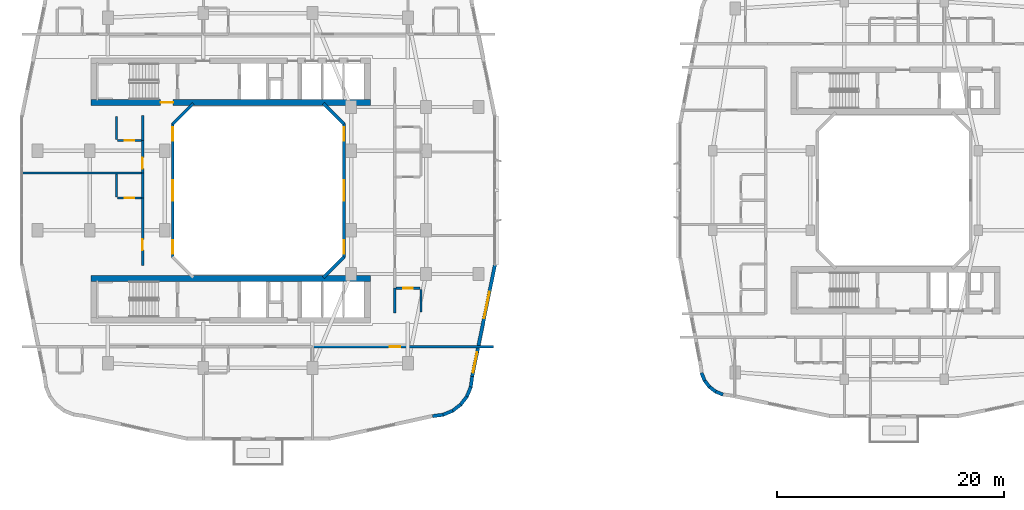
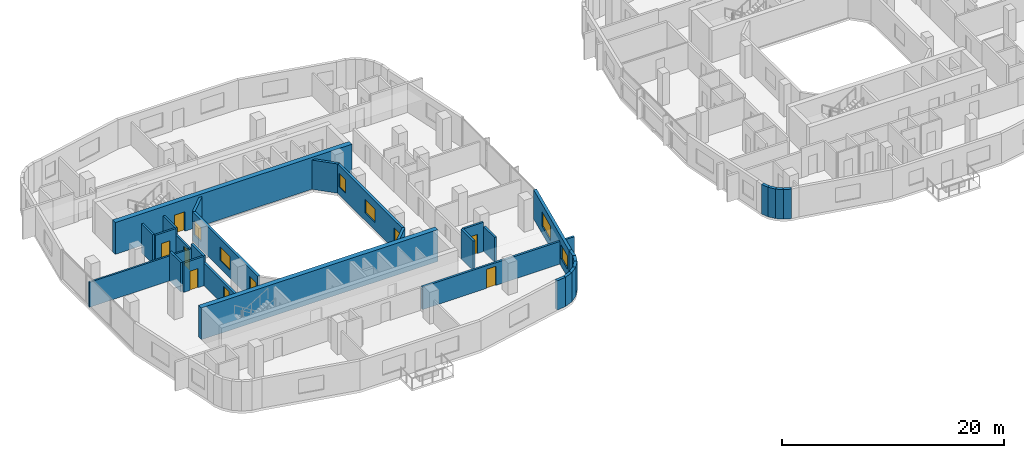
# One storey, part 9 of 22: 31 walls, 8 windows, 7 doors, 15 openings.
"""IFC4 building model written with IfcOpenShell, lengths in metres."""

from ifc_helpers import new_model, si_unit, derived_unit, direction, frame, frame_2d, origin, place, context, subcontext, project, spatial, rectangle, extrude, material, layer, layer_set, type_object, element, fill, save


model = new_model("IFC4")

# Units and contexts
model_context = context("Model", 3, precision=1e-05, world=origin(), true_north=direction((0.0, 1.0)))
body_context = subcontext(model_context, "Body", "Model", "MODEL_VIEW")
ifc_project = project(units=[si_unit("LENGTHUNIT", "METRE"), si_unit("AREAUNIT", "SQUARE_METRE"), si_unit("VOLUMEUNIT", "CUBIC_METRE"), si_unit("PLANEANGLEUNIT", "RADIAN"), si_unit("MASSUNIT", "GRAM", prefix="KILO"), derived_unit("THERMALTRANSMITTANCEUNIT", [(si_unit("POWERUNIT", "WATT"), 1), (si_unit("LENGTHUNIT", "METRE"), -2), (si_unit("THERMODYNAMICTEMPERATUREUNIT", "KELVIN"), -1)])], contexts=[model_context])

# Site, building, storey
site_placement = place(None, origin())
site = spatial("IfcSite", under=ifc_project, at=site_placement, CompositionType="ELEMENT")
building_placement = place(site_placement, origin())
building = spatial("IfcBuilding", under=site, at=building_placement, Name="Kivonza Crest Hotel", CompositionType="ELEMENT")
storey_placement = place(building_placement, frame((0.0, 0.0, 69.5)))
storey = spatial("IfcBuildingStorey", under=building, at=storey_placement, Name="L18", CompositionType="ELEMENT", Elevation=69.5)

# Wall
ifc_material_1 = material(Name="High-density acoustic masonry inter-tenancy wall", Category="masonry")
ifc_layer_1 = layer(ifc_material_1, 0.179931640625)
ifc_layer_set_1 = layer_set([ifc_layer_1], Name="High-density acoustic masonry inter-tenancy wall")
wall_type_1 = type_object("IfcWallType", Name="WL-ACOU-180", PredefinedType="SOLIDWALL", material=ifc_layer_set_1)
wall_1_placement = place(storey_placement, frame((0.139892578125, 26.5400390625, 0.0), z_axis=(0.0, 0.0, 1.0), x_axis=(1.0, 0.0, 0.0)))
element("IfcWall", 1, at=wall_1_placement, inside=storey, type_object=wall_type_1, Name="L18 interior partition WA-L18-T1W-DIV1", PredefinedType="SOLIDWALL", context=body_context, shape_type="SweptSolid", body=[
    extrude(rectangle(XDim=10.710205078125, YDim=0.179931640625, at=frame_2d((5.35498046875, 0.0))), origin(), (0.0, 0.0, 1.0), 2.7451171875),
])

# Wall, opening, door
ifc_material_2 = material(Name="Autoclaved aerated concrete blockwork", Category="masonry")
ifc_layer_2 = layer(ifc_material_2, 0.219970703125)
ifc_layer_set_2 = layer_set([ifc_layer_2], Name="Autoclaved aerated concrete blockwork")
wall_type_2 = type_object("IfcWallType", Name="WL-ACOU-220", PredefinedType="SOLIDWALL", material=ifc_layer_set_2)
wall_2_placement = place(storey_placement, frame((25.89990234375, 11.25, 0.0), z_axis=(0.0, 0.0, 1.0), x_axis=(1.0, 0.0, 0.0)))
wall_2 = element("IfcWall", 2, at=wall_2_placement, inside=storey, type_object=wall_type_2, Name="L18 interior partition WA-L18-BUS-MTG-N", PredefinedType="SOLIDWALL", context=body_context, shape_type="SweptSolid", body=[
    extrude(rectangle(XDim=15.840087890625, YDim=0.219970703125, at=frame_2d((7.919921875, 0.0))), origin(), (0.0, 0.0, 1.0), 2.4951171875),
])
opening_1_placement = place(wall_2_placement, frame((6.69091796875, 0.0, 0.0)))
opening_1 = element("IfcOpeningElement", 3, at=opening_1_placement, cuts=wall_2, Name="Opening DF-60S", PredefinedType="OPENING", context=body_context, shape_type="SweptSolid", body=[
    extrude(rectangle(XDim=0.949951171875, YDim=2.10009765625, at=frame_2d((0.47509765625, 1.050048828125))), frame((0.0, 0.1201171875, 0.0), z_axis=(0.0, -1.0, 0.0), x_axis=(1.0, 0.0, 0.0)), (0.0, 0.0, 1.0), 0.239990234375),
])
ifc_material_3 = material(Name="Hardwood timber oak", Category="wood")
door_type_1 = type_object("IfcDoorType", Name="DR-FD60-950", OperationType="NOTDEFINED", PredefinedType="DOOR", material=ifc_material_3)
door_1_placement = place(opening_1_placement, frame((0.949951171875, 0.0, 0.0), z_axis=(0.0, 0.0, 1.0), x_axis=(-1.0, 0.0, 0.0)))
door_1 = element("IfcDoor", 4, at=door_1_placement, inside=storey, type_object=door_type_1, Name="L18 Private Fitness Gym Studio door", OperationType="SINGLE_SWING_RIGHT", OverallHeight=2.10009765625, OverallWidth=0.949951171875, PredefinedType="DOOR", context=body_context, shape_type="SweptSolid", body=[
    extrude(rectangle(XDim=0.949951171875, YDim=2.10009765625, at=frame_2d((0.47509765625, 1.050048828125))), frame((0.0, 0.02490234375, 0.0), z_axis=(0.0, -1.0, 0.0), x_axis=(1.0, 0.0, 0.0)), (0.0, 0.0, 1.0), 0.050048828125),
])
fill(opening_1, door_1)

# Wall
wall_3_placement = place(storey_placement, frame((10.85009765625, 24.340087890625, 0.0), z_axis=(0.0, 0.0, 1.0), x_axis=(0.0, 1.0, 0.0)))
element("IfcWall", 5, at=wall_3_placement, inside=storey, type_object=wall_type_2, Name="L18 interior partition WA-L18-W06-BCORR", PredefinedType="SOLIDWALL", context=body_context, shape_type="SweptSolid", body=[
    extrude(rectangle(XDim=2.199951171875, YDim=0.219970703125, at=frame_2d((1.10009765625, 0.0))), origin(), (0.0, 0.0, 1.0), 3.219970703125),
])

# Wall, opening, door
wall_4_placement = place(storey_placement, frame((10.85009765625, 18.39990234375, 0.0), z_axis=(0.0, 0.0, 1.0), x_axis=(0.0, 1.0, 0.0)))
wall_4 = element("IfcWall", 6, at=wall_4_placement, inside=storey, type_object=wall_type_2, Name="L18 interior partition WA-L18-W06-MCORR", PredefinedType="SOLIDWALL", context=body_context, shape_type="SweptSolid", body=[
    extrude(rectangle(XDim=5.940185546875, YDim=0.219970703125, at=frame_2d((2.97021484375, 0.0))), origin(), (0.0, 0.0, 1.0), 2.4951171875),
])
opening_2_placement = place(wall_4_placement, frame((1.344970703125, 0.0, 0.0)))
opening_2 = element("IfcOpeningElement", 7, at=opening_2_placement, cuts=wall_4, Name="Opening DU-60", PredefinedType="OPENING", context=body_context, shape_type="SweptSolid", body=[
    extrude(rectangle(XDim=0.949951171875, YDim=2.10009765625, at=frame_2d((0.47509765625, 1.050048828125))), frame((0.0, 0.1201171875, 0.0), z_axis=(0.0, -1.0, 0.0), x_axis=(1.0, 0.0, 0.0)), (0.0, 0.0, 1.0), 0.239990234375),
])
door_type_2 = type_object("IfcDoorType", Name="DR-UNIT-950", OperationType="NOTDEFINED", PredefinedType="DOOR", material=ifc_material_3)
door_2_placement = place(opening_2_placement, origin())
door_2 = element("IfcDoor", 8, at=door_2_placement, inside=storey, type_object=door_type_2, Name="L18 W06 guest unit entrance fire door", OperationType="SINGLE_SWING_RIGHT", OverallHeight=2.10009765625, OverallWidth=0.949951171875, PredefinedType="DOOR", context=body_context, shape_type="SweptSolid", body=[
    extrude(rectangle(XDim=0.949951171875, YDim=2.10009765625, at=frame_2d((0.47509765625, 1.050048828125))), frame((0.0, 0.02490234375, 0.0), z_axis=(0.0, -1.0, 0.0), x_axis=(1.0, 0.0, 0.0)), (0.0, 0.0, 1.0), 0.050048828125),
])
fill(opening_2, door_2)

# Wall
wall_5_placement = place(storey_placement, frame((10.85009765625, 29.39990234375, 0.0), z_axis=(0.0, 0.0, 1.0), x_axis=(0.0, 1.0, 0.0)))
element("IfcWall", 9, at=wall_5_placement, inside=storey, type_object=wall_type_2, Name="L18 interior partition WA-L18-W07-BCORR", PredefinedType="SOLIDWALL", context=body_context, shape_type="SweptSolid", body=[
    extrude(rectangle(XDim=2.2001953125, YDim=0.219970703125, at=frame_2d((1.10009765625, 0.0))), origin(), (0.0, 0.0, 1.0), 3.219970703125),
])

# Wall, opening, door
wall_6_placement = place(storey_placement, frame((10.85009765625, 26.5400390625, 0.0), z_axis=(0.0, 0.0, 1.0), x_axis=(0.0, 1.0, 0.0)))
wall_6 = element("IfcWall", 10, at=wall_6_placement, inside=storey, type_object=wall_type_2, Name="L18 interior partition WA-L18-W07-MCORR", PredefinedType="SOLIDWALL", context=body_context, shape_type="SweptSolid", body=[
    extrude(rectangle(XDim=2.85986328125, YDim=0.219970703125, at=frame_2d((1.429931640625, 0.0))), origin(), (0.0, 0.0, 1.0), 2.4951171875),
])
opening_3_placement = place(wall_6_placement, frame((0.39501953125, 0.0, 0.0)))
opening_3 = element("IfcOpeningElement", 11, at=opening_3_placement, cuts=wall_6, Name="Opening DU-60", PredefinedType="OPENING", context=body_context, shape_type="SweptSolid", body=[
    extrude(rectangle(XDim=0.949951171875, YDim=2.10009765625, at=frame_2d((0.47509765625, 1.050048828125))), frame((0.0, 0.1201171875, 0.0), z_axis=(0.0, -1.0, 0.0), x_axis=(1.0, 0.0, 0.0)), (0.0, 0.0, 1.0), 0.239990234375),
])
door_3_placement = place(opening_3_placement, origin())
door_3 = element("IfcDoor", 12, at=door_3_placement, inside=storey, type_object=door_type_2, Name="L18 W07 guest unit entrance fire door", OperationType="SINGLE_SWING_LEFT", OverallHeight=2.10009765625, OverallWidth=0.949951171875, PredefinedType="DOOR", context=body_context, shape_type="SweptSolid", body=[
    extrude(rectangle(XDim=0.949951171875, YDim=2.10009765625, at=frame_2d((0.47509765625, 1.050048828125))), frame((0.0, 0.02490234375, 0.0), z_axis=(0.0, -1.0, 0.0), x_axis=(1.0, 0.0, 0.0)), (0.0, 0.0, 1.0), 0.050048828125),
])
fill(opening_3, door_3)

# Wall
wall_7_placement = place(storey_placement, frame((33.050048828125, 14.199951171875, 0.0), z_axis=(0.0, 0.0, 1.0), x_axis=(0.0, 1.0, 0.0)))
element("IfcWall", 13, at=wall_7_placement, inside=storey, type_object=wall_type_2, Name="L18 interior partition WA-L18-E08-BCORR", PredefinedType="SOLIDWALL", context=body_context, shape_type="SweptSolid", body=[
    extrude(rectangle(XDim=2.199951171875, YDim=0.219970703125, at=frame_2d((1.10009765625, 0.0))), origin(), (0.0, 0.0, 1.0), 3.219970703125),
])

# Wall, opening, door
ifc_material_4 = material(Name="Concrete C60/75", Category="concrete")
ifc_layer_3 = layer(ifc_material_4, 0.5)
ifc_layer_set_3 = layer_set([ifc_layer_3], Name="Concrete C60/75")
wall_type_3 = type_object("IfcWallType", Name="WL-CORE-500", PredefinedType="SHEAR", material=ifc_layer_set_3)
wall_8_placement = place(storey_placement, frame((6.300048828125, 32.75, 0.0), z_axis=(0.0, 0.0, 1.0), x_axis=(1.0, 0.0, 0.0)))
wall_8 = element("IfcWall", 14, at=wall_8_placement, inside=storey, type_object=wall_type_3, Name="Core wall T1-N South L18", PredefinedType="SHEAR", context=body_context, shape_type="SweptSolid", body=[
    extrude(rectangle(XDim=24.599853515625, YDim=0.5, at=frame_2d((12.2998046875, 0.0))), origin(), (0.0, 0.0, 1.0), 3.5),
])
opening_4_placement = place(wall_8_placement, frame((6.14990234375, 0.0, 0.0)))
opening_4 = element("IfcOpeningElement", 15, at=opening_4_placement, cuts=wall_8, Name="Opening DF-120", PredefinedType="OPENING", context=body_context, shape_type="SweptSolid", body=[
    extrude(rectangle(XDim=1.10009765625, YDim=2.14990234375, at=frame_2d((0.550048828125, 1.074951171875))), frame((0.0, 0.260009765625, 0.0), z_axis=(0.0, -1.0, 0.0), x_axis=(1.0, 0.0, 0.0)), (0.0, 0.0, 1.0), 0.52001953125),
])
ifc_material_5 = material(Name="Galvanised steel", Category="steel")
door_type_3 = type_object("IfcDoorType", Name="DR-FD120-1100", OperationType="NOTDEFINED", PredefinedType="DOOR", material=ifc_material_5)
door_4_placement = place(opening_4_placement, origin())
door_4 = element("IfcDoor", 16, at=door_4_placement, inside=storey, type_object=door_type_3, Name="L18 West corridor stair access fire door", OperationType="SINGLE_SWING_LEFT", OverallHeight=2.14990234375, OverallWidth=1.10009765625, PredefinedType="DOOR", context=body_context, shape_type="SweptSolid", body=[
    extrude(rectangle(XDim=1.10009765625, YDim=2.14990234375, at=frame_2d((0.550048828125, 1.074951171875))), frame((0.0, 0.02490234375, 0.0), z_axis=(0.0, -1.0, 0.0), x_axis=(1.0, 0.0, 0.0)), (0.0, 0.0, 1.0), 0.050048828125),
])
fill(opening_4, door_4)

# Walls
wall_9_placement = place(storey_placement, frame((6.300048828125, 17.25, 0.0), z_axis=(0.0, 0.0, 1.0), x_axis=(1.0, 0.0, 0.0)))
element("IfcWall", 17, at=wall_9_placement, inside=storey, type_object=wall_type_3, Name="Core wall T1-S North L18", PredefinedType="SHEAR", context=body_context, shape_type="SweptSolid", body=[
    extrude(rectangle(XDim=24.599853515625, YDim=0.5, at=frame_2d((12.2998046875, 0.0))), origin(), (0.0, 0.0, 1.0), 3.5),
])
ifc_material_6 = material(Name="Precast concrete C40/50", Category="concrete")
ifc_layer_4 = layer(ifc_material_6, 0.260009765625)
ifc_layer_set_4 = layer_set([ifc_layer_4], Name="Precast concrete C40/50")
wall_type_4 = type_object("IfcWallType", Name="WL-EXT-260", PredefinedType="STANDARD", material=ifc_layer_set_4)
wall_10_placement = place(storey_placement, frame((26.761962890625, 17.337890625, 0.0), z_axis=(0.0, 0.0, 1.0), x_axis=(0.707059717605, 0.707153841636, 0.0)))
element("IfcWall", 18, at=wall_10_placement, inside=storey, type_object=wall_type_4, Name="L18 T1 light-well exterior wall 2", PredefinedType="STANDARD", context=body_context, shape_type="SweptSolid", body=[
    extrude(rectangle(XDim=2.59375, YDim=0.260009765625, at=frame_2d((1.296875, 0.0))), origin(), (0.0, 0.0, 1.0), 3.219970703125),
])

# Wall, openings, windows
wall_11_placement = place(storey_placement, frame((28.570068359375, 19.110107421875, 0.0), z_axis=(0.0, 0.0, 1.0), x_axis=(0.0, 1.0, 0.0)))
wall_11 = element("IfcWall", 19, at=wall_11_placement, inside=storey, type_object=wall_type_4, Name="L18 T1 light-well exterior wall 3", PredefinedType="STANDARD", context=body_context, shape_type="SweptSolid", body=[
    extrude(rectangle(XDim=11.77978515625, YDim=0.260009765625, at=frame_2d((5.889892578125, 0.0))), origin(), (0.0, 0.0, 1.0), 3.219970703125),
])
opening_5_placement = place(wall_11_placement, frame((0.318115234375, 0.0, 0.85009765625)))
opening_5 = element("IfcOpeningElement", 20, at=opening_5_placement, cuts=wall_11, Name="Opening WN-01", PredefinedType="OPENING", context=body_context, shape_type="SweptSolid", body=[
    extrude(rectangle(XDim=1.199951171875, YDim=1.5, at=frame_2d((0.60009765625, 0.75))), frame((0.0, 0.14013671875, 0.0), z_axis=(0.0, -1.0, 0.0), x_axis=(1.0, 0.0, 0.0)), (0.0, 0.0, 1.0), 0.280029296875),
])
opening_6_placement = place(wall_11_placement, frame((4.989990234375, 0.0, 0.85009765625)))
opening_6 = element("IfcOpeningElement", 21, at=opening_6_placement, cuts=wall_11, Name="Opening WN-03", PredefinedType="OPENING", context=body_context, shape_type="SweptSolid", body=[
    extrude(rectangle(XDim=1.800048828125, YDim=1.5, at=frame_2d((0.89990234375, 0.75))), frame((0.0, 0.14013671875, 0.0), z_axis=(0.0, -1.0, 0.0), x_axis=(1.0, 0.0, 0.0)), (0.0, 0.0, 1.0), 0.280029296875),
])
opening_7_placement = place(wall_11_placement, frame((10.262939453125, 0.0, 0.85009765625)))
opening_7 = element("IfcOpeningElement", 22, at=opening_7_placement, cuts=wall_11, Name="Opening WN-01", PredefinedType="OPENING", context=body_context, shape_type="SweptSolid", body=[
    extrude(rectangle(XDim=1.199951171875, YDim=1.5, at=frame_2d((0.60009765625, 0.75))), frame((0.0, 0.14013671875, 0.0), z_axis=(0.0, -1.0, 0.0), x_axis=(1.0, 0.0, 0.0)), (0.0, 0.0, 1.0), 0.280029296875),
])
ifc_material_7 = material(Name="Thermally broken bronze aluminium and low-E double glazing", Category="aluminium")
window_type_1 = type_object("IfcWindowType", Name="WN-120x150", PartitioningType="SINGLE_PANEL", PredefinedType="WINDOW", material=ifc_material_7)
window_1_placement = place(opening_5_placement, origin())
window_1 = element("IfcWindow", 23, at=window_1_placement, inside=storey, type_object=window_type_1, Name="L18 T1 light-well window 3 bay 1", OverallHeight=1.5, OverallWidth=1.199951171875, PartitioningType="SINGLE_PANEL", PredefinedType="WINDOW", context=body_context, shape_type="SweptSolid", body=[
    extrude(rectangle(XDim=1.199951171875, YDim=1.5, at=frame_2d((0.60009765625, 0.75))), frame((0.0, 0.030029296875, 0.0), z_axis=(0.0, -1.0, 0.0), x_axis=(1.0, 0.0, 0.0)), (0.0, 0.0, 1.0), 0.06005859375),
])
fill(opening_5, window_1)
window_2_placement = place(opening_7_placement, origin())
window_2 = element("IfcWindow", 24, at=window_2_placement, inside=storey, type_object=window_type_1, Name="L18 T1 light-well window 3 bay 3", OverallHeight=1.5, OverallWidth=1.199951171875, PartitioningType="SINGLE_PANEL", PredefinedType="WINDOW", context=body_context, shape_type="SweptSolid", body=[
    extrude(rectangle(XDim=1.199951171875, YDim=1.5, at=frame_2d((0.60009765625, 0.75))), frame((0.0, 0.030029296875, 0.0), z_axis=(0.0, -1.0, 0.0), x_axis=(1.0, 0.0, 0.0)), (0.0, 0.0, 1.0), 0.06005859375),
])
fill(opening_7, window_2)
window_type_2 = type_object("IfcWindowType", Name="WN-180x150", PartitioningType="DOUBLE_PANEL_VERTICAL", PredefinedType="WINDOW", material=ifc_material_7)
window_3_placement = place(opening_6_placement, origin())
window_3 = element("IfcWindow", 25, at=window_3_placement, inside=storey, type_object=window_type_2, Name="L18 T1 light-well window 3 bay 2", OverallHeight=1.5, OverallWidth=1.800048828125, PartitioningType="SINGLE_PANEL", PredefinedType="WINDOW", context=body_context, shape_type="SweptSolid", body=[
    extrude(rectangle(XDim=1.800048828125, YDim=1.5, at=frame_2d((0.89990234375, 0.75))), frame((0.0, 0.030029296875, 0.0), z_axis=(0.0, -1.0, 0.0), x_axis=(1.0, 0.0, 0.0)), (0.0, 0.0, 1.0), 0.06005859375),
])
fill(opening_6, window_3)

# Walls
wall_12_placement = place(storey_placement, frame((28.595947265625, 30.827880859375, 0.0), z_axis=(0.0, 0.0, 1.0), x_axis=(-0.707059717605, 0.707153841636, 0.0)))
element("IfcWall", 26, at=wall_12_placement, inside=storey, type_object=wall_type_4, Name="L18 T1 light-well exterior wall 4", PredefinedType="STANDARD", context=body_context, shape_type="SweptSolid", body=[
    extrude(rectangle(XDim=2.59375, YDim=0.260009765625, at=frame_2d((1.296875, 0.0))), origin(), (0.0, 0.0, 1.0), 3.219970703125),
])
wall_13_placement = place(storey_placement, frame((15.318115234375, 32.662109375, 0.0), z_axis=(0.0, 0.0, 1.0), x_axis=(-0.707106781187, -0.707106781187, 0.0)))
element("IfcWall", 27, at=wall_13_placement, inside=storey, type_object=wall_type_4, Name="L18 T1 light-well exterior wall 6", PredefinedType="STANDARD", context=body_context, shape_type="SweptSolid", body=[
    extrude(rectangle(XDim=2.593994140625, YDim=0.260009765625, at=frame_2d((1.296875, 0.0))), origin(), (0.0, 0.0, 1.0), 3.219970703125),
])

# Wall, openings, windows
wall_14_placement = place(storey_placement, frame((13.510009765625, 30.889892578125, 0.0), z_axis=(0.0, 0.0, 1.0), x_axis=(0.0, -1.0, 0.0)))
wall_14 = element("IfcWall", 28, at=wall_14_placement, inside=storey, type_object=wall_type_4, Name="L18 T1 light-well exterior wall 7", PredefinedType="STANDARD", context=body_context, shape_type="SweptSolid", body=[
    extrude(rectangle(XDim=11.77978515625, YDim=0.260009765625, at=frame_2d((5.889892578125, 0.0))), origin(), (0.0, 0.0, 1.0), 3.219970703125),
])
opening_8_placement = place(wall_14_placement, frame((0.318115234375, 0.0, 0.85009765625)))
opening_8 = element("IfcOpeningElement", 29, at=opening_8_placement, cuts=wall_14, Name="Opening WN-01", PredefinedType="OPENING", context=body_context, shape_type="SweptSolid", body=[
    extrude(rectangle(XDim=1.199951171875, YDim=1.5, at=frame_2d((0.60009765625, 0.75))), frame((0.0, 0.14013671875, 0.0), z_axis=(0.0, -1.0, 0.0), x_axis=(1.0, 0.0, 0.0)), (0.0, 0.0, 1.0), 0.280029296875),
])
opening_9_placement = place(wall_14_placement, frame((4.989990234375, 0.0, 0.85009765625)))
opening_9 = element("IfcOpeningElement", 30, at=opening_9_placement, cuts=wall_14, Name="Opening WN-03", PredefinedType="OPENING", context=body_context, shape_type="SweptSolid", body=[
    extrude(rectangle(XDim=1.800048828125, YDim=1.5, at=frame_2d((0.89990234375, 0.75))), frame((0.0, 0.14013671875, 0.0), z_axis=(0.0, -1.0, 0.0), x_axis=(1.0, 0.0, 0.0)), (0.0, 0.0, 1.0), 0.280029296875),
])
opening_10_placement = place(wall_14_placement, frame((10.262939453125, 0.0, 0.85009765625)))
opening_10 = element("IfcOpeningElement", 31, at=opening_10_placement, cuts=wall_14, Name="Opening WN-01", PredefinedType="OPENING", context=body_context, shape_type="SweptSolid", body=[
    extrude(rectangle(XDim=1.199951171875, YDim=1.5, at=frame_2d((0.60009765625, 0.75))), frame((0.0, 0.14013671875, 0.0), z_axis=(0.0, -1.0, 0.0), x_axis=(1.0, 0.0, 0.0)), (0.0, 0.0, 1.0), 0.280029296875),
])
window_4_placement = place(opening_8_placement, origin())
window_4 = element("IfcWindow", 32, at=window_4_placement, inside=storey, type_object=window_type_1, Name="L18 T1 light-well window 7 bay 1", OverallHeight=1.5, OverallWidth=1.199951171875, PartitioningType="SINGLE_PANEL", PredefinedType="WINDOW", context=body_context, shape_type="SweptSolid", body=[
    extrude(rectangle(XDim=1.199951171875, YDim=1.5, at=frame_2d((0.60009765625, 0.75))), frame((0.0, 0.030029296875, 0.0), z_axis=(0.0, -1.0, 0.0), x_axis=(1.0, 0.0, 0.0)), (0.0, 0.0, 1.0), 0.06005859375),
])
fill(opening_8, window_4)
window_5_placement = place(opening_10_placement, origin())
window_5 = element("IfcWindow", 33, at=window_5_placement, inside=storey, type_object=window_type_1, Name="L18 T1 light-well window 7 bay 3", OverallHeight=1.5, OverallWidth=1.199951171875, PartitioningType="SINGLE_PANEL", PredefinedType="WINDOW", context=body_context, shape_type="SweptSolid", body=[
    extrude(rectangle(XDim=1.199951171875, YDim=1.5, at=frame_2d((0.60009765625, 0.75))), frame((0.0, 0.030029296875, 0.0), z_axis=(0.0, -1.0, 0.0), x_axis=(1.0, 0.0, 0.0)), (0.0, 0.0, 1.0), 0.06005859375),
])
fill(opening_10, window_5)
window_6_placement = place(opening_9_placement, origin())
window_6 = element("IfcWindow", 34, at=window_6_placement, inside=storey, type_object=window_type_2, Name="L18 T1 light-well window 7 bay 2", OverallHeight=1.5, OverallWidth=1.800048828125, PartitioningType="SINGLE_PANEL", PredefinedType="WINDOW", context=body_context, shape_type="SweptSolid", body=[
    extrude(rectangle(XDim=1.800048828125, YDim=1.5, at=frame_2d((0.89990234375, 0.75))), frame((0.0, 0.030029296875, 0.0), z_axis=(0.0, -1.0, 0.0), x_axis=(1.0, 0.0, 0.0)), (0.0, 0.0, 1.0), 0.06005859375),
])
fill(opening_9, window_6)

# Walls
ifc_layer_5 = layer(ifc_material_6, 0.300048828125)
ifc_layer_set_5 = layer_set([ifc_layer_5], Name="Precast concrete C40/50")
wall_type_5 = type_object("IfcWallType", Name="WL-EXT-300", PredefinedType="STANDARD", material=ifc_layer_set_5)
wall_15_placement = place(storey_placement, frame((36.3720703125, 5.14794921875, 0.0), z_axis=(0.0, 0.0, 1.0), x_axis=(0.991359246108, 0.131174864804, 0.0)))
element("IfcWall", 35, at=wall_15_placement, inside=storey, type_object=wall_type_5, Name="L18 T1 exterior insulated wall 10", PredefinedType="STANDARD", context=body_context, shape_type="SweptSolid", body=[
    extrude(rectangle(XDim=0.93798828125, YDim=0.300048828125, at=frame_2d((0.468994140625, 0.0))), origin(), (0.0, 0.0, 1.0), 3.219970703125),
])
wall_16_placement = place(storey_placement, frame((37.251953125, 5.251953125, 0.0), z_axis=(0.0, 0.0, 1.0), x_axis=(0.924019948111, 0.382344263057, 0.0)))
element("IfcWall", 36, at=wall_16_placement, inside=storey, type_object=wall_type_5, Name="L18 T1 exterior insulated wall 11", PredefinedType="STANDARD", context=body_context, shape_type="SweptSolid", body=[
    extrude(rectangle(XDim=0.95458984375, YDim=0.300048828125, at=frame_2d((0.477294921875, 0.0))), origin(), (0.0, 0.0, 1.0), 3.219970703125),
])
wall_17_placement = place(storey_placement, frame((38.089111328125, 5.5859375, 0.0), z_axis=(0.0, 0.0, 1.0), x_axis=(0.793573440799, 0.608474481025, 0.0)))
element("IfcWall", 37, at=wall_17_placement, inside=storey, type_object=wall_type_5, Name="L18 T1 exterior insulated wall 12", PredefinedType="STANDARD", context=body_context, shape_type="SweptSolid", body=[
    extrude(rectangle(XDim=0.954833984375, YDim=0.300048828125, at=frame_2d((0.4775390625, 0.0))), origin(), (0.0, 0.0, 1.0), 3.219970703125),
])
wall_18_placement = place(storey_placement, frame((38.81201171875, 6.125, 0.0), z_axis=(0.0, 0.0, 1.0), x_axis=(0.608351047625, 0.793668068435, 0.0)))
element("IfcWall", 38, at=wall_18_placement, inside=storey, type_object=wall_type_5, Name="L18 T1 exterior insulated wall 13", PredefinedType="STANDARD", context=body_context, shape_type="SweptSolid", body=[
    extrude(rectangle(XDim=0.955078125, YDim=0.300048828125, at=frame_2d((0.4775390625, 0.0))), origin(), (0.0, 0.0, 1.0), 3.219970703125),
])
wall_19_placement = place(storey_placement, frame((39.368896484375, 6.833984375, 0.0), z_axis=(0.0, 0.0, 1.0), x_axis=(0.382344263057, 0.924019948111, 0.0)))
element("IfcWall", 39, at=wall_19_placement, inside=storey, type_object=wall_type_5, Name="L18 T1 exterior insulated wall 14", PredefinedType="STANDARD", context=body_context, shape_type="SweptSolid", body=[
    extrude(rectangle(XDim=0.95458984375, YDim=0.300048828125, at=frame_2d((0.477294921875, 0.0))), origin(), (0.0, 0.0, 1.0), 3.219970703125),
])
wall_20_placement = place(storey_placement, frame((39.72509765625, 7.6630859375, 0.0), z_axis=(0.0, 0.0, 1.0), x_axis=(0.130454512571, 0.991454295543, 0.0)))
element("IfcWall", 40, at=wall_20_placement, inside=storey, type_object=wall_type_5, Name="L18 T1 exterior insulated wall 15", PredefinedType="STANDARD", context=body_context, shape_type="SweptSolid", body=[
    extrude(rectangle(XDim=0.97314453125, YDim=0.300048828125, at=frame_2d((0.486572265625, 0.0))), origin(), (0.0, 0.0, 1.0), 3.219970703125),
])

# Wall, openings, windows
wall_21_placement = place(storey_placement, frame((39.85107421875, 8.6220703125, 0.0), z_axis=(0.0, 0.0, 1.0), x_axis=(0.199990901713, 0.979797754249, 0.0)))
wall_21 = element("IfcWall", 41, at=wall_21_placement, inside=storey, type_object=wall_type_5, Name="L18 T1 exterior insulated wall 16", PredefinedType="STANDARD", context=body_context, shape_type="SweptSolid", body=[
    extrude(rectangle(XDim=10.065185546875, YDim=0.300048828125, at=frame_2d((5.03271484375, 0.0))), origin(), (0.0, 0.0, 1.0), 3.219970703125),
])
opening_11_placement = place(wall_21_placement, frame((0.3779296875, 0.0, 0.85009765625)))
opening_11 = element("IfcOpeningElement", 42, at=opening_11_placement, cuts=wall_21, Name="Opening WN-03", PredefinedType="OPENING", context=body_context, shape_type="SweptSolid", body=[
    extrude(rectangle(XDim=1.800048828125, YDim=1.5, at=frame_2d((0.89990234375, 0.75))), frame((0.0, 0.16015625, 0.0), z_axis=(0.0, -1.0, 0.0), x_axis=(1.0, 0.0, 0.0)), (0.0, 0.0, 1.0), 0.320068359375),
])
opening_12_placement = place(wall_21_placement, frame((5.236083984375, 0.0, 0.800048828125)))
opening_12 = element("IfcOpeningElement", 43, at=opening_12_placement, cuts=wall_21, Name="Opening WN-05", PredefinedType="OPENING", context=body_context, shape_type="SweptSolid", body=[
    extrude(rectangle(XDim=2.39990234375, YDim=1.60009765625, at=frame_2d((1.199951171875, 0.800048828125))), frame((0.0, 0.16015625, 0.0), z_axis=(0.0, -1.0, 0.0), x_axis=(1.0, 0.0, 0.0)), (0.0, 0.0, 1.0), 0.320068359375),
])
window_7_placement = place(opening_11_placement, origin())
window_7 = element("IfcWindow", 44, at=window_7_placement, inside=storey, type_object=window_type_2, Name="L18 T1 facade window 16 bay 1", OverallHeight=1.5, OverallWidth=1.800048828125, PartitioningType="SINGLE_PANEL", PredefinedType="WINDOW", context=body_context, shape_type="SweptSolid", body=[
    extrude(rectangle(XDim=1.800048828125, YDim=1.5, at=frame_2d((0.89990234375, 0.75))), frame((0.0, 0.030029296875, 0.0), z_axis=(0.0, -1.0, 0.0), x_axis=(1.0, 0.0, 0.0)), (0.0, 0.0, 1.0), 0.06005859375),
])
fill(opening_11, window_7)
window_type_3 = type_object("IfcWindowType", Name="WN-240x160", PartitioningType="TRIPLE_PANEL_VERTICAL", PredefinedType="WINDOW", material=ifc_material_7)
window_8_placement = place(opening_12_placement, origin())
window_8 = element("IfcWindow", 45, at=window_8_placement, inside=storey, type_object=window_type_3, Name="L18 T1 facade window 16 bay 2", OverallHeight=1.60009765625, OverallWidth=2.39990234375, PartitioningType="SINGLE_PANEL", PredefinedType="WINDOW", context=body_context, shape_type="SweptSolid", body=[
    extrude(rectangle(XDim=2.39990234375, YDim=1.60009765625, at=frame_2d((1.199951171875, 0.800048828125))), frame((0.0, 0.030029296875, 0.0), z_axis=(0.0, -1.0, 0.0), x_axis=(1.0, 0.0, 0.0)), (0.0, 0.0, 1.0), 0.06005859375),
])
fill(opening_12, window_8)

# Walls
for number, where, z_axis, x_axis, name in (
    (46, (60.02392578125, 8.955078125, 0.0), (0.0, 0.0, 1.0), (0.383546213491, -0.923521684703, 0.0), "L18 T2 exterior insulated wall 2"),
    (47, (60.279052734375, 8.31103515625, 0.0), (0.0, 0.0, 1.0), (0.608397189915, -0.79363269798, 0.0), "L18 T2 exterior insulated wall 3"),
    (48, (60.69091796875, 7.75390625, 0.0), (0.0, 0.0, 1.0), (0.79363269798, -0.608397189915, 0.0), "L18 T2 exterior insulated wall 4"),
    (49, (61.23388671875, 7.323974609375, 0.0), (0.0, 0.0, 1.0), (0.923685632463, -0.383151213466, 0.0), "L18 T2 exterior insulated wall 5"),
):
    element("IfcWall", number, at=place(storey_placement, frame(where, z_axis=z_axis, x_axis=x_axis)), inside=storey, type_object=wall_type_5, Name=name, PredefinedType="STANDARD", context=body_context, shape_type="SweptSolid", body=[
        extrude(rectangle(XDim=0.74609375, YDim=0.300048828125, at=frame_2d((0.373046875, 0.0))), origin(), (0.0, 0.0, 1.0), 3.25),
    ])

# Wall, opening, door
ifc_material_8 = material(Name="Moisture-resistant plumbing chase partition wall", Category="gypsum")
ifc_layer_6 = layer(ifc_material_8, 0.199951171875)
ifc_layer_set_6 = layer_set([ifc_layer_6], Name="Moisture-resistant plumbing chase partition wall")
wall_type_6 = type_object("IfcWallType", Name="WL-PLUMB-200", PredefinedType="PLUMBINGWALL", material=ifc_layer_set_6)
wall_22_placement = place(storey_placement, frame((8.64990234375, 24.340087890625, 0.0), z_axis=(0.0, 0.0, 1.0), x_axis=(1.0, 0.0, 0.0)))
wall_22 = element("IfcWall", 50, at=wall_22_placement, inside=storey, type_object=wall_type_6, Name="L18 interior partition WW-L18-W06-BH", PredefinedType="PLUMBINGWALL", context=body_context, shape_type="SweptSolid", body=[
    extrude(rectangle(XDim=2.10009765625, YDim=0.199951171875, at=frame_2d((1.050048828125, 0.0))), origin(), (0.0, 0.0, 1.0), 3.219970703125),
])
opening_13_placement = place(wall_22_placement, frame((0.625, 0.0, 0.0)))
opening_13 = element("IfcOpeningElement", 51, at=opening_13_placement, cuts=wall_22, Name="Opening DI-85", PredefinedType="OPENING", context=body_context, shape_type="SweptSolid", body=[
    extrude(rectangle(XDim=0.85009765625, YDim=2.10009765625, at=frame_2d((0.425048828125, 1.050048828125))), frame((0.0, 0.10986328125, 0.0), z_axis=(0.0, -1.0, 0.0), x_axis=(1.0, 0.0, 0.0)), (0.0, 0.0, 1.0), 0.219970703125),
])
door_type_4 = type_object("IfcDoorType", Name="DR-INT-850", OperationType="NOTDEFINED", PredefinedType="DOOR", material=ifc_material_3)
door_5_placement = place(opening_13_placement, frame((0.85009765625, 0.0, 0.0), z_axis=(0.0, 0.0, 1.0), x_axis=(-1.0, 0.0, 0.0)))
door_5 = element("IfcDoor", 52, at=door_5_placement, inside=storey, type_object=door_type_4, Name="L18 W06 en-suite bathroom door", OperationType="SINGLE_SWING_LEFT", OverallHeight=2.10009765625, OverallWidth=0.85009765625, PredefinedType="DOOR", context=body_context, shape_type="SweptSolid", body=[
    extrude(rectangle(XDim=0.85009765625, YDim=2.10009765625, at=frame_2d((0.425048828125, 1.050048828125))), frame((0.0, 0.02490234375, 0.0), z_axis=(0.0, -1.0, 0.0), x_axis=(1.0, 0.0, 0.0)), (0.0, 0.0, 1.0), 0.050048828125),
])
fill(opening_13, door_5)

# Wall
wall_23_placement = place(storey_placement, frame((8.550048828125, 24.43994140625, 0.0), z_axis=(0.0, 0.0, 1.0), x_axis=(0.0, 1.0, 0.0)))
element("IfcWall", 53, at=wall_23_placement, inside=storey, type_object=wall_type_6, Name="L18 interior partition WW-L18-W06-BV", PredefinedType="PLUMBINGWALL", context=body_context, shape_type="SweptSolid", body=[
    extrude(rectangle(XDim=2.0, YDim=0.199951171875, at=frame_2d((1.0, 0.0))), origin(), (0.0, 0.0, 1.0), 3.219970703125),
])

# Wall, opening, door
wall_24_placement = place(storey_placement, frame((8.64990234375, 29.39990234375, 0.0), z_axis=(0.0, 0.0, 1.0), x_axis=(1.0, 0.0, 0.0)))
wall_24 = element("IfcWall", 54, at=wall_24_placement, inside=storey, type_object=wall_type_6, Name="L18 interior partition WW-L18-W07-BH", PredefinedType="PLUMBINGWALL", context=body_context, shape_type="SweptSolid", body=[
    extrude(rectangle(XDim=2.10009765625, YDim=0.199951171875, at=frame_2d((1.050048828125, 0.0))), origin(), (0.0, 0.0, 1.0), 3.219970703125),
])
opening_14_placement = place(wall_24_placement, frame((0.625, 0.0, 0.0)))
opening_14 = element("IfcOpeningElement", 55, at=opening_14_placement, cuts=wall_24, Name="Opening DI-85", PredefinedType="OPENING", context=body_context, shape_type="SweptSolid", body=[
    extrude(rectangle(XDim=0.85009765625, YDim=2.10009765625, at=frame_2d((0.425048828125, 1.050048828125))), frame((0.0, 0.10986328125, 0.0), z_axis=(0.0, -1.0, 0.0), x_axis=(1.0, 0.0, 0.0)), (0.0, 0.0, 1.0), 0.219970703125),
])
door_6_placement = place(opening_14_placement, frame((0.85009765625, 0.0, 0.0), z_axis=(0.0, 0.0, 1.0), x_axis=(-1.0, 0.0, 0.0)))
door_6 = element("IfcDoor", 56, at=door_6_placement, inside=storey, type_object=door_type_4, Name="L18 W07 en-suite bathroom door", OperationType="SINGLE_SWING_RIGHT", OverallHeight=2.10009765625, OverallWidth=0.85009765625, PredefinedType="DOOR", context=body_context, shape_type="SweptSolid", body=[
    extrude(rectangle(XDim=0.85009765625, YDim=2.10009765625, at=frame_2d((0.425048828125, 1.050048828125))), frame((0.0, 0.02490234375, 0.0), z_axis=(0.0, -1.0, 0.0), x_axis=(1.0, 0.0, 0.0)), (0.0, 0.0, 1.0), 0.050048828125),
])
fill(opening_14, door_6)

# Wall
wall_25_placement = place(storey_placement, frame((8.550048828125, 29.5, 0.0), z_axis=(0.0, 0.0, 1.0), x_axis=(0.0, 1.0, 0.0)))
element("IfcWall", 57, at=wall_25_placement, inside=storey, type_object=wall_type_6, Name="L18 interior partition WW-L18-W07-BV", PredefinedType="PLUMBINGWALL", context=body_context, shape_type="SweptSolid", body=[
    extrude(rectangle(XDim=2.0, YDim=0.199951171875, at=frame_2d((1.0, 0.0))), origin(), (0.0, 0.0, 1.0), 3.219970703125),
])

# Wall, opening, door
wall_26_placement = place(storey_placement, frame((33.14990234375, 16.39990234375, 0.0), z_axis=(0.0, 0.0, 1.0), x_axis=(1.0, 0.0, 0.0)))
wall_26 = element("IfcWall", 58, at=wall_26_placement, inside=storey, type_object=wall_type_6, Name="L18 interior partition WW-L18-E08-BH", PredefinedType="PLUMBINGWALL", context=body_context, shape_type="SweptSolid", body=[
    extrude(rectangle(XDim=2.10009765625, YDim=0.199951171875, at=frame_2d((1.050048828125, 0.0))), origin(), (0.0, 0.0, 1.0), 3.219970703125),
])
opening_15_placement = place(wall_26_placement, frame((0.625, 0.0, 0.0)))
opening_15 = element("IfcOpeningElement", 59, at=opening_15_placement, cuts=wall_26, Name="Opening DI-85", PredefinedType="OPENING", context=body_context, shape_type="SweptSolid", body=[
    extrude(rectangle(XDim=0.85009765625, YDim=2.10009765625, at=frame_2d((0.425048828125, 1.050048828125))), frame((0.0, 0.10986328125, 0.0), z_axis=(0.0, -1.0, 0.0), x_axis=(1.0, 0.0, 0.0)), (0.0, 0.0, 1.0), 0.219970703125),
])
door_7_placement = place(opening_15_placement, origin())
door_7 = element("IfcDoor", 60, at=door_7_placement, inside=storey, type_object=door_type_4, Name="L18 E08 en-suite bathroom door", OperationType="SINGLE_SWING_LEFT", OverallHeight=2.10009765625, OverallWidth=0.85009765625, PredefinedType="DOOR", context=body_context, shape_type="SweptSolid", body=[
    extrude(rectangle(XDim=0.85009765625, YDim=2.10009765625, at=frame_2d((0.425048828125, 1.050048828125))), frame((0.0, 0.02490234375, 0.0), z_axis=(0.0, -1.0, 0.0), x_axis=(1.0, 0.0, 0.0)), (0.0, 0.0, 1.0), 0.050048828125),
])
fill(opening_15, door_7)

# Wall
wall_27_placement = place(storey_placement, frame((35.35009765625, 14.300048828125, 0.0), z_axis=(0.0, 0.0, 1.0), x_axis=(0.0, 1.0, 0.0)))
element("IfcWall", 61, at=wall_27_placement, inside=storey, type_object=wall_type_6, Name="L18 interior partition WW-L18-E08-BV", PredefinedType="PLUMBINGWALL", context=body_context, shape_type="SweptSolid", body=[
    extrude(rectangle(XDim=2.0, YDim=0.199951171875, at=frame_2d((1.0, 0.0))), origin(), (0.0, 0.0, 1.0), 2.7451171875),
])

save(model, "model.ifc")
